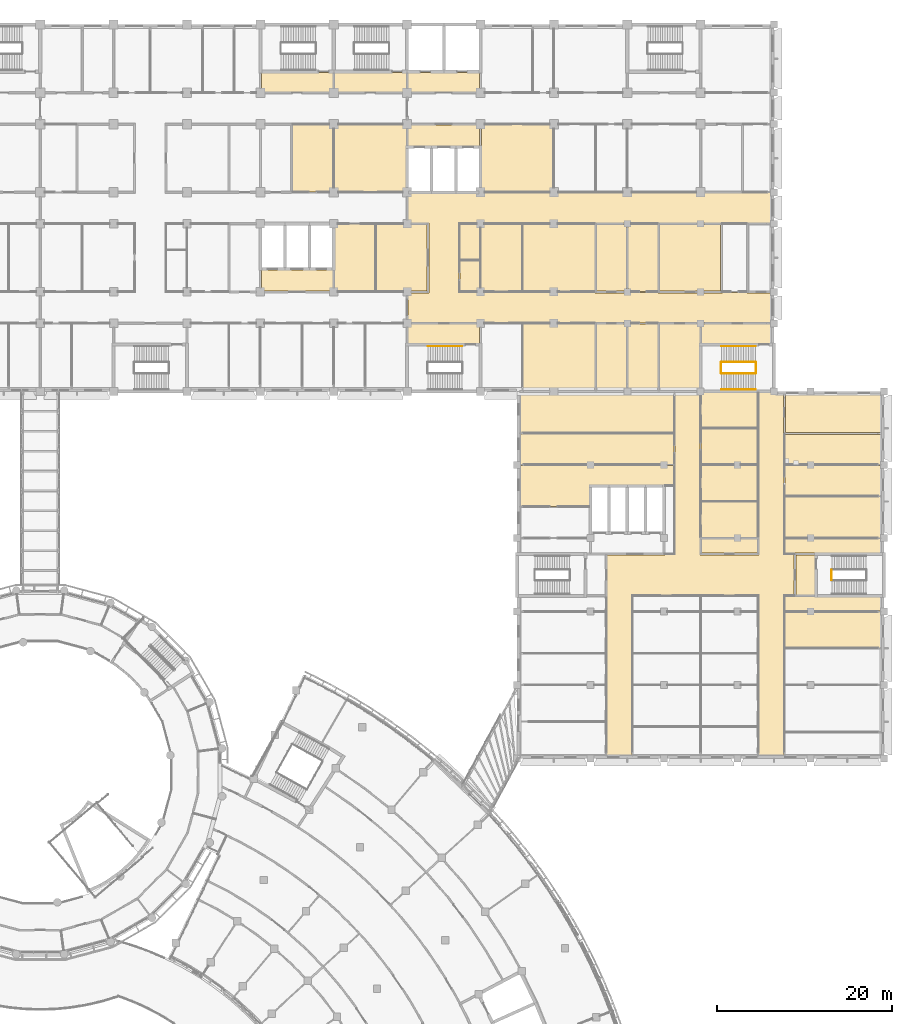
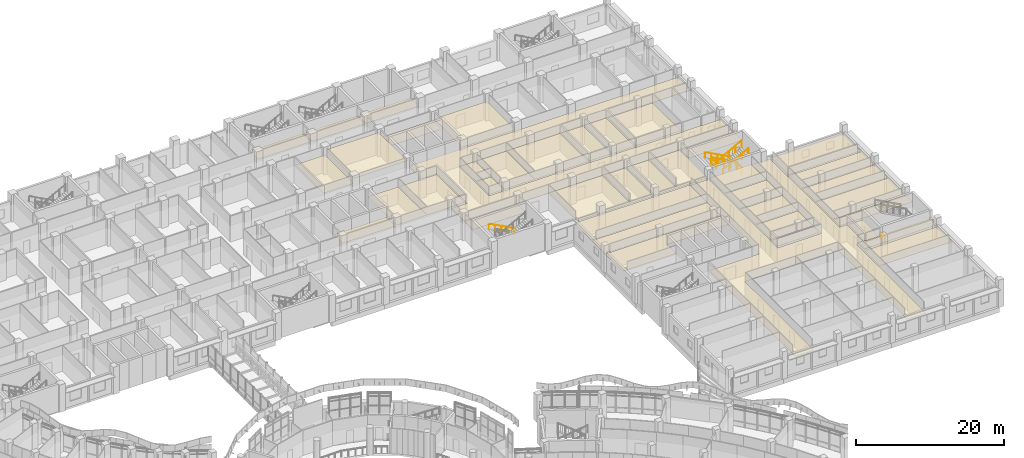
# One storey, part 130 of 136: 41 coverings, 8 railings.
"""IFC4 building model written with IfcOpenShell, lengths in metres."""

from ifc_helpers import new_model, si_unit, direction, frame, origin, origin_2d, place, context, subcontext, project, spatial, polyline, circle, outline, extrude, material, layer, layer_set, type_object, element, save


model = new_model("IFC4")

# Units and contexts
model_context = context("Model", 3, precision=1e-05, world=origin(), true_north=direction((0.0, 1.0)))
body_context = subcontext(model_context, "Body", "Model", "MODEL_VIEW")
ifc_project = project(units=[si_unit("LENGTHUNIT", "METRE"), si_unit("AREAUNIT", "SQUARE_METRE"), si_unit("VOLUMEUNIT", "CUBIC_METRE"), si_unit("PLANEANGLEUNIT", "RADIAN"), si_unit("MASSUNIT", "GRAM", prefix="KILO")], contexts=[model_context])

# Site, building, storey
site_placement = place(None, origin())
site = spatial("IfcSite", under=ifc_project, at=site_placement, CompositionType="ELEMENT")
building_placement = place(site_placement, origin())
building = spatial("IfcBuilding", under=site, at=building_placement, Name="Bougainvillea Quay General Hospital", CompositionType="ELEMENT")
storey_placement = place(building_placement, frame((0.0, 0.0, 5.39990234375)))
storey = spatial("IfcBuildingStorey", under=building, at=storey_placement, Name="L01", CompositionType="ELEMENT", Elevation=5.39990234375)

# Railings
ifc_material_1 = material(Name="Stainless steel 304 balustrade", Category="steel")
railing_type_1 = type_object("IfcRailingType", Name="Stair guard 1100", PredefinedType="GUARDRAIL", material=ifc_material_1)
railing_1_placement = place(storey_placement, frame((191.10009765625, 120.949951171875, 0.150146484375)))
element("IfcRailing", 1, at=railing_1_placement, inside=storey, type_object=railing_type_1, Name="L01 ST-D4 stair guard 1", PredefinedType="GUARDRAIL", context=body_context, shape_type="SweptSolid", body=[
    extrude(circle(Radius=0.02392578125, at=origin_2d()), frame((0.0, 0.0, 1.076171875), z_axis=(-0.881502004561, 0.0, 0.472180279083), x_axis=(0.0, -1.0, 0.0)), (0.0, 0.0, 1.0), 4.447265625),
    extrude(circle(Radius=0.02099609375, at=origin_2d()), origin(), (0.0, 0.0, 1.0), 1.052001953125),
    extrude(circle(Radius=0.02099609375, at=origin_2d()), frame((-0.97998046875, 0.0, 0.52490234375)), (0.0, 0.0, 1.0), 1.052001953125),
    extrude(circle(Radius=0.02099609375, at=origin_2d()), frame((-1.9599609375, 0.0, 1.0498046875)), (0.0, 0.0, 1.0), 1.052001953125),
    extrude(circle(Radius=0.02099609375, at=origin_2d()), frame((-2.940185546875, 0.0, 1.574951171875)), (0.0, 0.0, 1.0), 1.052001953125),
    extrude(circle(Radius=0.02099609375, at=origin_2d()), frame((-3.920166015625, 0.0, 2.099853515625)), (0.0, 0.0, 1.0), 1.052001953125),
])
railing_2_placement = place(storey_placement, frame((187.1298828125, 120.89990234375, 2.25)))
element("IfcRailing", 2, at=railing_2_placement, inside=storey, type_object=railing_type_1, Name="L01 ST-D4 stair guard 2", PredefinedType="GUARDRAIL", context=body_context, shape_type="SweptSolid", body=[
    extrude(circle(Radius=0.02392578125, at=origin_2d()), frame((0.0, 0.0, 1.076171875), z_axis=(0.0, -1.0, 0.0), x_axis=(1.0, 0.0, 0.0)), (0.0, 0.0, 1.0), 1.199951171875),
    extrude(circle(Radius=0.02099609375, at=origin_2d()), origin(), (0.0, 0.0, 1.0), 1.052001953125),
    extrude(circle(Radius=0.02099609375, at=origin_2d()), frame((0.0, -1.199951171875, 0.0)), (0.0, 0.0, 1.0), 1.052001953125),
])
railing_3_placement = place(storey_placement, frame((187.179931640625, 119.64990234375, 2.400146484375)))
element("IfcRailing", 3, at=railing_3_placement, inside=storey, type_object=railing_type_1, Name="L01 ST-D4 stair guard 3", PredefinedType="GUARDRAIL", context=body_context, shape_type="SweptSolid", body=[
    extrude(circle(Radius=0.02392578125, at=origin_2d()), frame((0.0, 0.0, 1.076171875), z_axis=(0.881502004561, 0.0, 0.472180279083), x_axis=(0.0, 1.0, 0.0)), (0.0, 0.0, 1.0), 4.447265625),
    extrude(circle(Radius=0.02099609375, at=origin_2d()), origin(), (0.0, 0.0, 1.0), 1.052001953125),
    extrude(circle(Radius=0.02099609375, at=origin_2d()), frame((0.97998046875, 0.0, 0.52490234375)), (0.0, 0.0, 1.0), 1.052001953125),
    extrude(circle(Radius=0.02099609375, at=origin_2d()), frame((1.9599609375, 0.0, 1.0498046875)), (0.0, 0.0, 1.0), 1.052001953125),
    extrude(circle(Radius=0.02099609375, at=origin_2d()), frame((2.940185546875, 0.0, 1.574951171875)), (0.0, 0.0, 1.0), 1.052001953125),
    extrude(circle(Radius=0.02099609375, at=origin_2d()), frame((3.920166015625, 0.0, 2.099853515625)), (0.0, 0.0, 1.0), 1.052001953125),
])
railing_4_placement = place(storey_placement, frame((191.14990234375, 120.89990234375, 0.0)))
element("IfcRailing", 4, at=railing_4_placement, inside=storey, type_object=railing_type_1, Name="L01 ST-D4 stair guard 4", PredefinedType="GUARDRAIL", context=body_context, shape_type="SweptSolid", body=[
    extrude(circle(Radius=0.02392578125, at=origin_2d()), frame((0.0, 0.0, 1.076171875), z_axis=(0.0, -1.0, 0.0), x_axis=(1.0, 0.0, 0.0)), (0.0, 0.0, 1.0), 1.199951171875),
    extrude(circle(Radius=0.02099609375, at=origin_2d()), origin(), (0.0, 0.0, 1.0), 1.052001953125),
    extrude(circle(Radius=0.02099609375, at=origin_2d()), frame((0.0, -1.199951171875, 0.0)), (0.0, 0.0, 1.0), 1.052001953125),
])
railing_5_placement = place(storey_placement, frame((199.77490234375, 96.02490234375, 0.0)))
element("IfcRailing", 5, at=railing_5_placement, inside=storey, type_object=railing_type_1, Name="L01 ST-T2 stair guard 4", PredefinedType="GUARDRAIL", context=body_context, shape_type="SweptSolid", body=[
    extrude(circle(Radius=0.02392578125, at=origin_2d()), frame((0.0, 0.0, 1.076171875), z_axis=(0.0, 1.0, 0.0), x_axis=(-1.0, 0.0, 0.0)), (0.0, 0.0, 1.0), 1.150146484375),
    extrude(circle(Radius=0.02099609375, at=origin_2d()), origin(), (0.0, 0.0, 1.0), 1.052001953125),
    extrude(circle(Radius=0.02099609375, at=origin_2d()), frame((0.0, 1.150146484375, 0.0)), (0.0, 0.0, 1.0), 1.052001953125),
])
ifc_material_2 = material(Name="Stainless steel 304 handrail", Category="steel")
railing_type_2 = type_object("IfcRailingType", Name="Stair handrail 900", PredefinedType="HANDRAIL", material=ifc_material_2)
railing_6_placement = place(storey_placement, frame((191.10009765625, 122.77490234375, 0.150146484375)))
element("IfcRailing", 6, at=railing_6_placement, inside=storey, type_object=railing_type_2, Name="L01 ST-D4 stair handrail 1", PredefinedType="HANDRAIL", context=body_context, shape_type="SweptSolid", body=[
    extrude(circle(Radius=0.02392578125, at=origin_2d()), frame((0.0, 0.0, 0.8759765625), z_axis=(-0.881502004561, 0.0, 0.472180279083), x_axis=(0.0, -1.0, 0.0)), (0.0, 0.0, 1.0), 4.447265625),
    extrude(circle(Radius=0.02099609375, at=origin_2d()), origin(), (0.0, 0.0, 1.0), 0.851806640625),
    extrude(circle(Radius=0.02099609375, at=origin_2d()), frame((-0.97998046875, 0.0, 0.52490234375)), (0.0, 0.0, 1.0), 0.851806640625),
    extrude(circle(Radius=0.02099609375, at=origin_2d()), frame((-1.9599609375, 0.0, 1.0498046875)), (0.0, 0.0, 1.0), 0.851806640625),
    extrude(circle(Radius=0.02099609375, at=origin_2d()), frame((-2.940185546875, 0.0, 1.574951171875)), (0.0, 0.0, 1.0), 0.851806640625),
    extrude(circle(Radius=0.02099609375, at=origin_2d()), frame((-3.920166015625, 0.0, 2.099853515625)), (0.0, 0.0, 1.0), 0.851806640625),
])
railing_7_placement = place(storey_placement, frame((187.179931640625, 117.824951171875, 2.400146484375)))
element("IfcRailing", 7, at=railing_7_placement, inside=storey, type_object=railing_type_2, Name="L01 ST-D4 stair handrail 2", PredefinedType="HANDRAIL", context=body_context, shape_type="SweptSolid", body=[
    extrude(circle(Radius=0.02392578125, at=origin_2d()), frame((0.0, 0.0, 0.8759765625), z_axis=(0.881502004561, 0.0, 0.472180279083), x_axis=(0.0, 1.0, 0.0)), (0.0, 0.0, 1.0), 4.447265625),
    extrude(circle(Radius=0.02099609375, at=origin_2d()), origin(), (0.0, 0.0, 1.0), 0.851806640625),
    extrude(circle(Radius=0.02099609375, at=origin_2d()), frame((0.97998046875, 0.0, 0.52490234375)), (0.0, 0.0, 1.0), 0.851806640625),
    extrude(circle(Radius=0.02099609375, at=origin_2d()), frame((1.9599609375, 0.0, 1.0498046875)), (0.0, 0.0, 1.0), 0.851806640625),
    extrude(circle(Radius=0.02099609375, at=origin_2d()), frame((2.940185546875, 0.0, 1.574951171875)), (0.0, 0.0, 1.0), 0.851806640625),
    extrude(circle(Radius=0.02099609375, at=origin_2d()), frame((3.920166015625, 0.0, 2.099853515625)), (0.0, 0.0, 1.0), 0.851806640625),
])
railing_8_placement = place(storey_placement, frame((157.5, 122.77490234375, 0.150146484375)))
element("IfcRailing", 8, at=railing_8_placement, inside=storey, type_object=railing_type_2, Name="L01 ST-B4 stair handrail 1", PredefinedType="HANDRAIL", context=body_context, shape_type="SweptSolid", body=[
    extrude(circle(Radius=0.02392578125, at=origin_2d()), frame((0.0, 0.0, 0.8759765625), z_axis=(-0.881489763865, 0.0, 0.472203130232), x_axis=(0.0, -1.0, 0.0)), (0.0, 0.0, 1.0), 4.447021484375),
    extrude(circle(Radius=0.02099609375, at=origin_2d()), origin(), (0.0, 0.0, 1.0), 0.851806640625),
    extrude(circle(Radius=0.02099609375, at=origin_2d()), frame((-0.97998046875, 0.0, 0.52490234375)), (0.0, 0.0, 1.0), 0.851806640625),
    extrude(circle(Radius=0.02099609375, at=origin_2d()), frame((-1.9599609375, 0.0, 1.0498046875)), (0.0, 0.0, 1.0), 0.851806640625),
    extrude(circle(Radius=0.02099609375, at=origin_2d()), frame((-2.93994140625, 0.0, 1.574951171875)), (0.0, 0.0, 1.0), 0.851806640625),
    extrude(circle(Radius=0.02099609375, at=origin_2d()), frame((-3.919921875, 0.0, 2.099853515625)), (0.0, 0.0, 1.0), 0.851806640625),
])

# Coverings
ifc_material_3 = material(Name="Mineral fibre ceiling tile")
ifc_layer = layer(ifc_material_3, 0.030029296875)
ifc_layer_set = layer_set([ifc_layer], Name="Mineral fibre ceiling tile")
covering_type = type_object("IfcCoveringType", Name="Suspended ceiling mineral fibre tile", PredefinedType="CEILING", material=ifc_layer_set)
covering_1_placement = place(storey_placement, frame((0.0, 0.0, 2.7001953125)))
element("IfcCovering", 9, at=covering_1_placement, inside=storey, type_object=covering_type, Name="Ceiling Corridor V3-2", PredefinedType="CEILING", context=body_context, shape_type="SweptSolid", body=[
    extrude(outline(polyline([(194.35009765625, 75.60009765625), (194.35009765625, 94.25), (195.5, 94.25), (195.5, 98.949951171875), (194.35009765625, 98.949951171875), (194.35009765625, 112.699951171875), (194.300048828125, 112.699951171875), (194.300048828125, 117.550048828125), (191.449951171875, 117.550048828125), (191.449951171875, 100.89990234375), (191.5, 100.89990234375), (191.5, 98.89990234375), (184.699951171875, 98.89990234375), (184.699951171875, 100.89990234375), (184.75, 100.89990234375), (184.75, 117.5), (181.85009765625, 117.5), (181.85009765625, 98.949951171875), (180.699951171875, 98.949951171875), (180.699951171875, 98.89990234375), (174.10009765625, 98.89990234375), (174.10009765625, 94.10009765625), (174.050048828125, 94.10009765625), (174.050048828125, 75.60009765625), (176.949951171875, 75.60009765625), (176.949951171875, 94.25), (191.449951171875, 94.25), (191.449951171875, 75.60009765625), (194.35009765625, 75.60009765625)])), origin(), (0.0, 0.0, 1.0), 0.02978515625),
])
covering_2_placement = place(storey_placement, frame((0.0, 0.0, 2.7001953125)))
element("IfcCovering", 10, at=covering_2_placement, inside=storey, type_object=covering_type, Name="Ceiling Corridor V4-3", PredefinedType="CEILING", context=body_context, shape_type="SweptSolid", body=[
    extrude(outline(polyline([(193.199951171875, 140.35009765625), (189.699951171875, 140.35009765625), (189.699951171875, 140.300048828125), (184.699951171875, 140.300048828125), (184.699951171875, 140.35009765625), (151.300048828125, 140.35009765625), (151.300048828125, 136.89990234375), (153.699951171875, 136.89990234375), (153.699951171875, 128.89990234375), (151.300048828125, 128.89990234375), (151.300048828125, 125.5), (159.699951171875, 125.5), (159.699951171875, 125.449951171875), (172.699951171875, 125.449951171875), (172.699951171875, 125.5), (176.5, 125.5), (176.5, 125.449951171875), (179.89990234375, 125.449951171875), (179.89990234375, 125.5), (193.199951171875, 125.5), (193.199951171875, 128.89990234375), (190.10009765625, 128.89990234375), (190.10009765625, 128.949951171875), (187.300048828125, 128.949951171875), (187.300048828125, 128.89990234375), (179.89990234375, 128.89990234375), (179.89990234375, 128.949951171875), (176.5, 128.949951171875), (176.5, 128.89990234375), (172.699951171875, 128.89990234375), (172.699951171875, 128.949951171875), (157.14990234375, 128.949951171875), (157.14990234375, 136.85009765625), (172.699951171875, 136.85009765625), (172.699951171875, 136.89990234375), (176.5, 136.89990234375), (176.5, 136.85009765625), (179.89990234375, 136.85009765625), (179.89990234375, 136.89990234375), (187.300048828125, 136.89990234375), (187.300048828125, 136.85009765625), (190.10009765625, 136.85009765625), (190.10009765625, 136.89990234375), (193.199951171875, 136.89990234375), (193.199951171875, 140.35009765625)])), origin(), (0.0, 0.0, 1.0), 0.02978515625),
])
covering_3_placement = place(storey_placement, frame((0.0, 0.0, 2.7001953125)))
element("IfcCovering", 11, at=covering_3_placement, inside=storey, type_object=covering_type, Name="Ceiling Fire Lift Lobby LB-A2", PredefinedType="CEILING", context=body_context, shape_type="SweptSolid", body=[
    extrude(outline(polyline([(151.300048828125, 145.699951171875), (159.5, 145.699951171875), (159.5, 148.10009765625), (151.300048828125, 148.10009765625), (151.300048828125, 145.699951171875)])), origin(), (0.0, 0.0, 1.0), 0.02978515625),
])
covering_4_placement = place(storey_placement, frame((0.0, 0.0, 2.7001953125)))
element("IfcCovering", 12, at=covering_4_placement, inside=storey, type_object=covering_type, Name="Ceiling Fire Lift Lobby LB-B2", PredefinedType="CEILING", context=body_context, shape_type="SweptSolid", body=[
    extrude(outline(polyline([(134.5, 131.5), (134.5, 129.10009765625), (142.699951171875, 129.10009765625), (142.699951171875, 131.5), (134.5, 131.5)])), origin(), (0.0, 0.0, 1.0), 0.02978515625),
])
covering_5_placement = place(storey_placement, frame((0.0, 0.0, 2.7001953125)))
element("IfcCovering", 13, at=covering_5_placement, inside=storey, type_object=covering_type, Name="Ceiling Lift Lobby LB-S1", PredefinedType="CEILING", context=body_context, shape_type="SweptSolid", body=[
    extrude(outline(polyline([(159.5, 151.89990234375), (159.5, 154.10009765625), (151.300048828125, 154.10009765625), (151.300048828125, 151.89990234375), (159.5, 151.89990234375)])), origin(), (0.0, 0.0, 1.0), 0.02978515625),
])
covering_6_placement = place(storey_placement, frame((0.0, 0.0, 2.7001953125)))
element("IfcCovering", 14, at=covering_6_placement, inside=storey, type_object=covering_type, Name="Ceiling Smoke-proof Stair Vestibule ST-A3", PredefinedType="CEILING", context=body_context, shape_type="SweptSolid", body=[
    extrude(outline(polyline([(142.699951171875, 154.10009765625), (134.5, 154.10009765625), (134.5, 151.89990234375), (142.699951171875, 151.89990234375), (142.699951171875, 154.10009765625)])), origin(), (0.0, 0.0, 1.0), 0.02978515625),
])
covering_7_placement = place(storey_placement, frame((0.0, 0.0, 2.7001953125)))
element("IfcCovering", 15, at=covering_7_placement, inside=storey, type_object=covering_type, Name="Ceiling Smoke-proof Stair Vestibule ST-B4", PredefinedType="CEILING", context=body_context, shape_type="SweptSolid", body=[
    extrude(outline(polyline([(151.300048828125, 125.300048828125), (151.300048828125, 123.10009765625), (159.5, 123.10009765625), (159.5, 125.300048828125), (151.300048828125, 125.300048828125)])), origin(), (0.0, 0.0, 1.0), 0.02978515625),
])
covering_8_placement = place(storey_placement, frame((0.0, 0.0, 2.7001953125)))
element("IfcCovering", 16, at=covering_8_placement, inside=storey, type_object=covering_type, Name="Ceiling Smoke-proof Stair Vestibule ST-D3", PredefinedType="CEILING", context=body_context, shape_type="SweptSolid", body=[
    extrude(outline(polyline([(151.10009765625, 151.89990234375), (151.10009765625, 154.10009765625), (142.89990234375, 154.10009765625), (142.89990234375, 151.89990234375), (151.10009765625, 151.89990234375)])), origin(), (0.0, 0.0, 1.0), 0.02978515625),
])
covering_9_placement = place(storey_placement, frame((0.0, 0.0, 2.7001953125)))
element("IfcCovering", 17, at=covering_9_placement, inside=storey, type_object=covering_type, Name="Ceiling Smoke-proof Stair Vestibule ST-D4", PredefinedType="CEILING", context=body_context, shape_type="SweptSolid", body=[
    extrude(outline(polyline([(193.199951171875, 125.300048828125), (184.89990234375, 125.300048828125), (184.89990234375, 123.10009765625), (193.199951171875, 123.10009765625), (193.199951171875, 125.300048828125)])), origin(), (0.0, 0.0, 1.0), 0.02978515625),
])
covering_10_placement = place(storey_placement, frame((0.0, 0.0, 2.7001953125)))
element("IfcCovering", 18, at=covering_10_placement, inside=storey, type_object=covering_type, Name="Ceiling Smoke-proof Stair Vestibule ST-T2", PredefinedType="CEILING", context=body_context, shape_type="SweptSolid", body=[
    extrude(outline(polyline([(195.699951171875, 94.300048828125), (197.89990234375, 94.300048828125), (197.89990234375, 98.89990234375), (195.699951171875, 98.89990234375), (195.699951171875, 94.300048828125)])), origin(), (0.0, 0.0, 1.0), 0.02978515625),
])
covering_11_placement = place(storey_placement, frame((0.0, 0.0, 3.0)))
element("IfcCovering", 19, at=covering_11_placement, inside=storey, type_object=covering_type, Name="Ceiling Operating Theatre 14", PredefinedType="CEILING", context=body_context, shape_type="SweptSolid", body=[
    extrude(outline(polyline([(205.800048828125, 94.14990234375), (198.10009765625, 94.14990234375), (198.10009765625, 94.10009765625), (195.5, 94.10009765625), (195.5, 94.14990234375), (194.449951171875, 94.14990234375), (194.449951171875, 92.449951171875), (205.800048828125, 92.449951171875), (205.800048828125, 94.14990234375)])), origin(), (0.0, 0.0, 1.0), 0.030029296875),
])
covering_12_placement = place(storey_placement, frame((0.0, 0.0, 2.800048828125)))
element("IfcCovering", 20, at=covering_12_placement, inside=storey, type_object=covering_type, Name="Ceiling Scrub-up Room 02", PredefinedType="CEILING", context=body_context, shape_type="SweptSolid", body=[
    extrude(outline(polyline([(205.800048828125, 92.35009765625), (194.449951171875, 92.35009765625), (194.449951171875, 88.25), (205.800048828125, 88.25), (205.800048828125, 92.35009765625)])), origin(), (0.0, 0.0, 1.0), 0.030029296875),
])
covering_13_placement = place(storey_placement, frame((0.0, 0.0, 2.800048828125)))
element("IfcCovering", 21, at=covering_13_placement, inside=storey, type_object=covering_type, Name="Ceiling Anaesthetic Room 03", PredefinedType="CEILING", context=body_context, shape_type="SweptSolid", body=[
    extrude(outline(polyline([(163.800048828125, 104.447998046875), (172.14990234375, 104.447998046875), (172.14990234375, 106.85009765625), (181.75, 106.85009765625), (181.75, 109.14794921875), (163.800048828125, 109.14794921875), (163.800048828125, 104.447998046875)])), origin(), (0.0, 0.0, 1.0), 0.030029296875),
])
covering_14_placement = place(storey_placement, frame((0.0, 0.0, 2.800048828125)))
element("IfcCovering", 22, at=covering_14_placement, inside=storey, type_object=covering_type, Name="Ceiling Theatre Clean Utility", PredefinedType="CEILING", context=body_context, shape_type="SweptSolid", body=[
    extrude(outline(polyline([(163.800048828125, 109.248046875), (181.75, 109.248046875), (181.75, 112.748046875), (163.800048828125, 112.748046875), (163.800048828125, 109.248046875)])), origin(), (0.0, 0.0, 1.0), 0.030029296875),
])
covering_15_placement = place(storey_placement, frame((0.0, 0.0, 2.800048828125)))
element("IfcCovering", 23, at=covering_15_placement, inside=storey, type_object=covering_type, Name="Ceiling Anaesthetic Room 04", PredefinedType="CEILING", context=body_context, shape_type="SweptSolid", body=[
    extrude(outline(polyline([(163.800048828125, 112.847900390625), (181.75, 112.847900390625), (181.75, 117.5), (163.800048828125, 117.5), (163.800048828125, 112.847900390625)])), origin(), (0.0, 0.0, 1.0), 0.030029296875),
])
covering_16_placement = place(storey_placement, frame((0.0, 0.0, 2.800048828125)))
element("IfcCovering", 24, at=covering_16_placement, inside=storey, type_object=covering_type, Name="Ceiling Theatre Sterile Store", PredefinedType="CEILING", context=body_context, shape_type="SweptSolid", body=[
    extrude(outline(polyline([(191.300048828125, 100.699951171875), (184.89990234375, 100.699951171875), (184.89990234375, 99.10009765625), (191.300048828125, 99.10009765625), (191.300048828125, 100.699951171875)])), origin(), (0.0, 0.0, 1.0), 0.030029296875),
])
covering_17_placement = place(storey_placement, frame((0.0, 0.0, 2.800048828125)))
element("IfcCovering", 25, at=covering_17_placement, inside=storey, type_object=covering_type, Name="Ceiling Theatre Recovery Bay Room 01", PredefinedType="CEILING", context=body_context, shape_type="SweptSolid", body=[
    extrude(outline(polyline([(184.85009765625, 100.89990234375), (191.35009765625, 100.89990234375), (191.35009765625, 104.949951171875), (184.85009765625, 104.949951171875), (184.85009765625, 100.89990234375)])), origin(), (0.0, 0.0, 1.0), 0.030029296875),
])
covering_18_placement = place(storey_placement, frame((0.0, 0.0, 2.800048828125)))
element("IfcCovering", 26, at=covering_18_placement, inside=storey, type_object=covering_type, Name="Ceiling Theatre Recovery Bay Room 02", PredefinedType="CEILING", context=body_context, shape_type="SweptSolid", body=[
    extrude(outline(polyline([(184.85009765625, 109.14990234375), (184.85009765625, 105.050048828125), (191.35009765625, 105.050048828125), (191.35009765625, 109.14990234375), (184.85009765625, 109.14990234375)])), origin(), (0.0, 0.0, 1.0), 0.030029296875),
])
covering_19_placement = place(storey_placement, frame((0.0, 0.0, 2.800048828125)))
element("IfcCovering", 27, at=covering_19_placement, inside=storey, type_object=covering_type, Name="Ceiling Theatre Recovery Nurses' Station", PredefinedType="CEILING", context=body_context, shape_type="SweptSolid", body=[
    extrude(outline(polyline([(184.85009765625, 113.35009765625), (184.85009765625, 109.25), (191.35009765625, 109.25), (191.35009765625, 113.35009765625), (184.85009765625, 113.35009765625)])), origin(), (0.0, 0.0, 1.0), 0.030029296875),
])
covering_20_placement = place(storey_placement, frame((0.0, 0.0, 2.800048828125)))
element("IfcCovering", 28, at=covering_20_placement, inside=storey, type_object=covering_type, Name="Ceiling Theatre Recovery Bay Room 03", PredefinedType="CEILING", context=body_context, shape_type="SweptSolid", body=[
    extrude(outline(polyline([(184.85009765625, 113.449951171875), (191.35009765625, 113.449951171875), (191.35009765625, 117.550048828125), (184.89990234375, 117.550048828125), (184.89990234375, 117.5), (184.85009765625, 117.5), (184.85009765625, 113.449951171875)])), origin(), (0.0, 0.0, 1.0), 0.030029296875),
])
covering_21_placement = place(storey_placement, frame((0.0, 0.0, 2.800048828125)))
element("IfcCovering", 29, at=covering_21_placement, inside=storey, type_object=covering_type, Name="Ceiling Theatre Recovery Bay Room 04", PredefinedType="CEILING", context=body_context, shape_type="SweptSolid", body=[
    extrude(outline(polyline([(205.800048828125, 100.75), (194.449951171875, 100.75), (194.449951171875, 99.050048828125), (195.5, 99.050048828125), (195.5, 99.10009765625), (198.10009765625, 99.10009765625), (198.10009765625, 99.050048828125), (205.800048828125, 99.050048828125), (205.800048828125, 100.75)])), origin(), (0.0, 0.0, 1.0), 0.030029296875),
])
covering_22_placement = place(storey_placement, frame((0.0, 0.0, 2.800048828125)))
element("IfcCovering", 30, at=covering_22_placement, inside=storey, type_object=covering_type, Name="Ceiling Theatre Recovery Isolation Room", PredefinedType="CEILING", context=body_context, shape_type="SweptSolid", body=[
    extrude(outline(polyline([(205.800048828125, 105.550048828125), (194.449951171875, 105.550048828125), (194.449951171875, 100.85009765625), (205.800048828125, 100.85009765625), (205.800048828125, 105.550048828125)])), origin(), (0.0, 0.0, 1.0), 0.030029296875),
])
covering_23_placement = place(storey_placement, frame((0.0, 0.0, 2.800048828125)))
element("IfcCovering", 31, at=covering_23_placement, inside=storey, type_object=covering_type, Name="Ceiling Theatre Anaesthetist Office", PredefinedType="CEILING", context=body_context, shape_type="SweptSolid", body=[
    extrude(outline(polyline([(205.800048828125, 109.14990234375), (194.449951171875, 109.14990234375), (194.449951171875, 105.64990234375), (205.800048828125, 105.64990234375), (205.800048828125, 109.14990234375)])), origin(), (0.0, 0.0, 1.0), 0.030029296875),
])
covering_24_placement = place(storey_placement, frame((0.0, 0.0, 2.800048828125)))
element("IfcCovering", 32, at=covering_24_placement, inside=storey, type_object=covering_type, Name="Ceiling Theatre Recovery WC", PredefinedType="CEILING", context=body_context, shape_type="SweptSolid", body=[
    extrude(outline(polyline([(205.800048828125, 112.699951171875), (194.449951171875, 112.699951171875), (194.449951171875, 109.25), (205.800048828125, 109.25), (205.800048828125, 112.699951171875)])), origin(), (0.0, 0.0, 1.0), 0.030029296875),
])
covering_25_placement = place(storey_placement, frame((0.0, 0.0, 2.800048828125)))
element("IfcCovering", 33, at=covering_25_placement, inside=storey, type_object=covering_type, Name="Ceiling Theatre Sterile Store", PredefinedType="CEILING", context=body_context, shape_type="SweptSolid", body=[
    extrude(outline(polyline([(194.5, 117.60009765625), (194.5, 112.89990234375), (205.800048828125, 112.89990234375), (205.800048828125, 117.60009765625), (194.5, 117.60009765625)])), origin(), (0.0, 0.0, 1.0), 0.030029296875),
])
covering_26_placement = place(storey_placement, frame((0.0, 0.0, 2.800048828125)))
element("IfcCovering", 34, at=covering_26_placement, inside=storey, type_object=covering_type, Name="Ceiling Intensive Care Isolation Room 05", PredefinedType="CEILING", context=body_context, shape_type="SweptSolid", body=[
    extrude(outline(polyline([(147.550048828125, 129.050048828125), (147.550048828125, 136.75), (142.85009765625, 136.75), (142.85009765625, 131.699951171875), (142.89990234375, 131.699951171875), (142.89990234375, 129.050048828125), (147.550048828125, 129.050048828125)])), origin(), (0.0, 0.0, 1.0), 0.030029296875),
])
covering_27_placement = place(storey_placement, frame((0.0, 0.0, 2.800048828125)))
element("IfcCovering", 35, at=covering_27_placement, inside=storey, type_object=covering_type, Name="Ceiling Intensive Care High Dependency Bay Room 03", PredefinedType="CEILING", context=body_context, shape_type="SweptSolid", body=[
    extrude(outline(polyline([(153.5, 129.10009765625), (153.5, 136.699951171875), (151.10009765625, 136.699951171875), (151.10009765625, 136.75), (147.64990234375, 136.75), (147.64990234375, 129.050048828125), (151.10009765625, 129.050048828125), (151.10009765625, 129.10009765625), (153.5, 129.10009765625)])), origin(), (0.0, 0.0, 1.0), 0.030029296875),
])
covering_28_placement = place(storey_placement, frame((0.0, 0.0, 2.800048828125)))
element("IfcCovering", 36, at=covering_28_placement, inside=storey, type_object=covering_type, Name="Ceiling Intensive Care Medication Room", PredefinedType="CEILING", context=body_context, shape_type="SweptSolid", body=[
    extrude(outline(polyline([(157.25, 132.550048828125), (157.25, 129.050048828125), (159.550048828125, 129.050048828125), (159.550048828125, 132.550048828125), (157.25, 132.550048828125)])), origin(), (0.0, 0.0, 1.0), 0.030029296875),
])
covering_29_placement = place(storey_placement, frame((0.0, 0.0, 2.800048828125)))
element("IfcCovering", 37, at=covering_29_placement, inside=storey, type_object=covering_type, Name="Ceiling Intensive Care High Dependency Bay Room 04", PredefinedType="CEILING", context=body_context, shape_type="SweptSolid", body=[
    extrude(outline(polyline([(159.550048828125, 132.64990234375), (159.550048828125, 136.75), (157.25, 136.75), (157.25, 132.64990234375), (159.550048828125, 132.64990234375)])), origin(), (0.0, 0.0, 1.0), 0.030029296875),
])
covering_30_placement = place(storey_placement, frame((0.0, 0.0, 2.800048828125)))
element("IfcCovering", 38, at=covering_30_placement, inside=storey, type_object=covering_type, Name="Ceiling Theatre Patient Transfer Bay", PredefinedType="CEILING", context=body_context, shape_type="SweptSolid", body=[
    extrude(outline(polyline([(164.449951171875, 117.699951171875), (172.699951171875, 117.699951171875), (172.699951171875, 125.35009765625), (164.449951171875, 125.35009765625), (164.449951171875, 117.699951171875)])), origin(), (0.0, 0.0, 1.0), 0.030029296875),
])
covering_31_placement = place(storey_placement, frame((0.0, 0.0, 2.800048828125)))
element("IfcCovering", 39, at=covering_31_placement, inside=storey, type_object=covering_type, Name="Ceiling Theatre Clean Linen Store", PredefinedType="CEILING", context=body_context, shape_type="SweptSolid", body=[
    extrude(outline(polyline([(176.300048828125, 117.699951171875), (176.300048828125, 125.300048828125), (172.89990234375, 125.300048828125), (172.89990234375, 117.699951171875), (176.300048828125, 117.699951171875)])), origin(), (0.0, 0.0, 1.0), 0.030029296875),
])
covering_32_placement = place(storey_placement, frame((0.0, 0.0, 2.800048828125)))
element("IfcCovering", 40, at=covering_32_placement, inside=storey, type_object=covering_type, Name="Ceiling Theatre Support Office", PredefinedType="CEILING", context=body_context, shape_type="SweptSolid", body=[
    extrude(outline(polyline([(176.5, 117.699951171875), (179.89990234375, 117.699951171875), (179.89990234375, 125.35009765625), (176.5, 125.35009765625), (176.5, 117.699951171875)])), origin(), (0.0, 0.0, 1.0), 0.030029296875),
])
covering_33_placement = place(storey_placement, frame((0.0, 0.0, 2.800048828125)))
element("IfcCovering", 41, at=covering_33_placement, inside=storey, type_object=covering_type, Name="Ceiling Theatre Link Sterile Store", PredefinedType="CEILING", context=body_context, shape_type="SweptSolid", body=[
    extrude(outline(polyline([(184.699951171875, 117.699951171875), (184.699951171875, 125.300048828125), (180.10009765625, 125.300048828125), (180.10009765625, 117.699951171875), (184.699951171875, 117.699951171875)])), origin(), (0.0, 0.0, 1.0), 0.030029296875),
])
covering_34_placement = place(storey_placement, frame((0.0, 0.0, 2.800048828125)))
element("IfcCovering", 42, at=covering_34_placement, inside=storey, type_object=covering_type, Name="Ceiling Theatre Link Lobby", PredefinedType="CEILING", context=body_context, shape_type="SweptSolid", body=[
    extrude(outline(polyline([(164.35009765625, 129.050048828125), (164.35009765625, 136.75), (159.64990234375, 136.75), (159.64990234375, 129.050048828125), (164.35009765625, 129.050048828125)])), origin(), (0.0, 0.0, 1.0), 0.030029296875),
])
covering_35_placement = place(storey_placement, frame((0.0, 0.0, 2.800048828125)))
element("IfcCovering", 43, at=covering_35_placement, inside=storey, type_object=covering_type, Name="Ceiling Theatre Patient Transfer Bay", PredefinedType="CEILING", context=body_context, shape_type="SweptSolid", body=[
    extrude(outline(polyline([(172.699951171875, 129.050048828125), (172.699951171875, 136.75), (164.449951171875, 136.75), (164.449951171875, 129.050048828125), (172.699951171875, 129.050048828125)])), origin(), (0.0, 0.0, 1.0), 0.030029296875),
])
covering_36_placement = place(storey_placement, frame((0.0, 0.0, 2.800048828125)))
element("IfcCovering", 44, at=covering_36_placement, inside=storey, type_object=covering_type, Name="Ceiling Theatre Clean Linen Store", PredefinedType="CEILING", context=body_context, shape_type="SweptSolid", body=[
    extrude(outline(polyline([(172.89990234375, 136.699951171875), (172.89990234375, 129.10009765625), (176.300048828125, 129.10009765625), (176.300048828125, 136.699951171875), (172.89990234375, 136.699951171875)])), origin(), (0.0, 0.0, 1.0), 0.030029296875),
])
covering_37_placement = place(storey_placement, frame((0.0, 0.0, 2.800048828125)))
element("IfcCovering", 45, at=covering_37_placement, inside=storey, type_object=covering_type, Name="Ceiling Theatre Support Office", PredefinedType="CEILING", context=body_context, shape_type="SweptSolid", body=[
    extrude(outline(polyline([(176.5, 136.75), (176.5, 129.050048828125), (179.89990234375, 129.050048828125), (179.89990234375, 136.75), (176.5, 136.75)])), origin(), (0.0, 0.0, 1.0), 0.030029296875),
])
covering_38_placement = place(storey_placement, frame((0.0, 0.0, 2.800048828125)))
element("IfcCovering", 46, at=covering_38_placement, inside=storey, type_object=covering_type, Name="Ceiling Theatre Link Sterile Store", PredefinedType="CEILING", context=body_context, shape_type="SweptSolid", body=[
    extrude(outline(polyline([(187.10009765625, 129.10009765625), (187.10009765625, 136.699951171875), (180.10009765625, 136.699951171875), (180.10009765625, 129.10009765625), (187.10009765625, 129.10009765625)])), origin(), (0.0, 0.0, 1.0), 0.030029296875),
])
covering_39_placement = place(storey_placement, frame((0.0, 0.0, 2.800048828125)))
element("IfcCovering", 47, at=covering_39_placement, inside=storey, type_object=covering_type, Name="Ceiling Transfusion Donor Room 02", PredefinedType="CEILING", context=body_context, shape_type="SweptSolid", body=[
    extrude(outline(polyline([(142.75, 140.449951171875), (142.75, 148.14990234375), (138.10009765625, 148.14990234375), (138.10009765625, 140.449951171875), (142.75, 140.449951171875)])), origin(), (0.0, 0.0, 1.0), 0.030029296875),
])
covering_40_placement = place(storey_placement, frame((0.0, 0.0, 3.60009765625)))
element("IfcCovering", 48, at=covering_40_placement, inside=storey, type_object=covering_type, Name="Ceiling Dialysis Waiting Room", PredefinedType="CEILING", context=body_context, shape_type="SweptSolid", body=[
    extrude(outline(polyline([(151.14990234375, 145.5), (151.10009765625, 145.5), (151.10009765625, 148.14990234375), (142.85009765625, 148.14990234375), (142.85009765625, 140.449951171875), (151.14990234375, 140.449951171875), (151.14990234375, 145.5)])), origin(), (0.0, 0.0, 1.0), 0.030029296875),
])
covering_41_placement = place(storey_placement, frame((0.0, 0.0, 2.800048828125)))
element("IfcCovering", 49, at=covering_41_placement, inside=storey, type_object=covering_type, Name="Ceiling Dialysis Treatment Bay Room 02", PredefinedType="CEILING", context=body_context, shape_type="SweptSolid", body=[
    extrude(outline(polyline([(159.64990234375, 145.5), (159.64990234375, 140.449951171875), (167.949951171875, 140.449951171875), (167.949951171875, 148.14990234375), (159.699951171875, 148.14990234375), (159.699951171875, 145.5), (159.64990234375, 145.5)])), origin(), (0.0, 0.0, 1.0), 0.030029296875),
])

save(model, "model.ifc")
